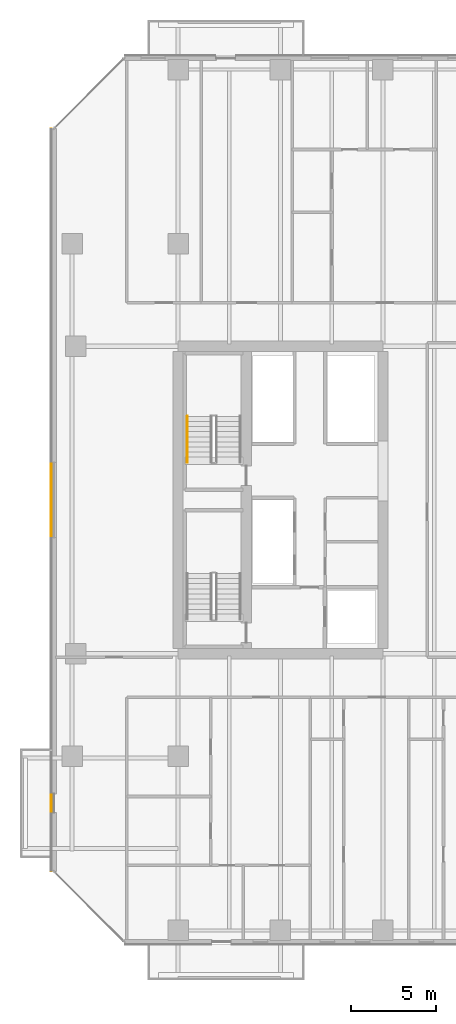
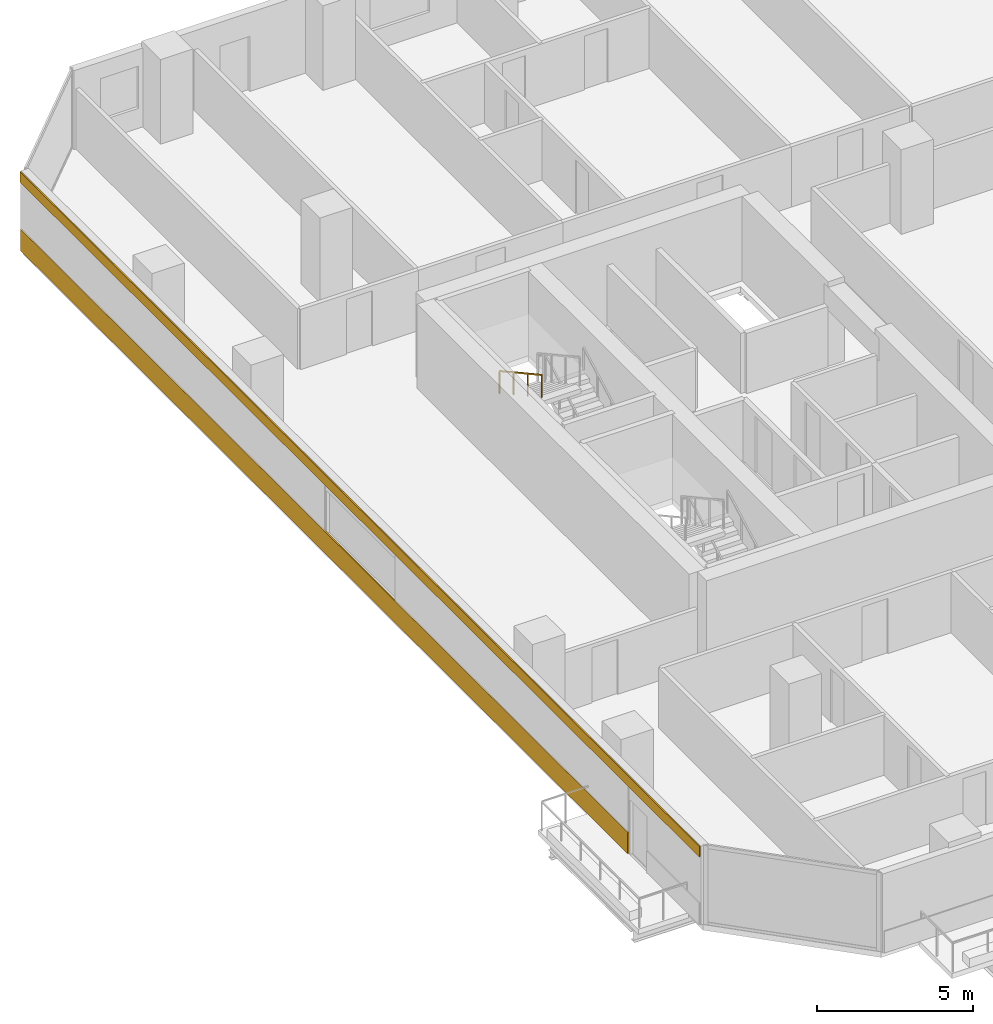
# One storey, part 26 of 33: 2 coverings, 1 railing.
"""IFC4 building model written with IfcOpenShell, lengths in metres."""

from ifc_helpers import new_model, si_unit, direction, frame, origin, origin_2d, place, context, subcontext, project, spatial, rectangle, extrude, material, layer, layer_set, type_object, element, save


model = new_model("IFC4")

# Units and contexts
model_context = context("Model", 3, precision=1e-05, world=origin(), true_north=direction((0.0, 1.0)))
body_context = subcontext(model_context, "Body", "Model", "MODEL_VIEW")
ifc_project = project(units=[si_unit("LENGTHUNIT", "METRE"), si_unit("AREAUNIT", "SQUARE_METRE"), si_unit("VOLUMEUNIT", "CUBIC_METRE"), si_unit("PLANEANGLEUNIT", "RADIAN"), si_unit("MASSUNIT", "GRAM", prefix="KILO")], contexts=[model_context])

# Site, building, storey
site_placement = place(None, origin())
site = spatial("IfcSite", under=ifc_project, at=site_placement, CompositionType="ELEMENT")
building_placement = place(site_placement, origin())
building = spatial("IfcBuilding", under=site, at=building_placement, Name="Tanjung Sevakor Pilgrim Tower", CompositionType="ELEMENT")
storey_placement = place(building_placement, frame((0.0, 0.0, 38.93994140625)))
storey = spatial("IfcBuildingStorey", under=building, at=storey_placement, Name="L10", CompositionType="ELEMENT", Elevation=38.93994140625)

# Coverings
ifc_material_1 = material(Name="Reconstructed Limestone Cladding", Category="masonry")
ifc_layer = layer(ifc_material_1, 0.044921875)
ifc_layer_set = layer_set([ifc_layer], Name="COV-CLAD-LIMESTONE")
covering_type = type_object("IfcCoveringType", Name="COV-CLAD-LIMESTONE", PredefinedType="CLADDING", material=ifc_layer_set)
covering_1_placement = place(storey_placement, frame((16.577392578125, 35.881103515625, 0.01025390625), z_axis=(0.0, 0.0, 1.0), x_axis=(0.0, -1.0, 0.0)))
element("IfcCovering", 1, at=covering_1_placement, inside=storey, type_object=covering_type, Name="L10 Warm Limestone Sill Spandrel EW-L10-MAIN-15-1", PredefinedType="CLADDING", context=body_context, shape_type="SweptSolid", body=[
    extrude(rectangle(XDim=38.842041015625, YDim=0.044921875, at=origin_2d()), origin(), (0.0, 0.0, 1.0), 0.840087890625),
])
covering_2_placement = place(storey_placement, frame((16.577392578125, 33.60009765625, 2.66015625), z_axis=(0.0, 0.0, 1.0), x_axis=(0.0, -1.0, 0.0)))
element("IfcCovering", 2, at=covering_2_placement, inside=storey, type_object=covering_type, Name="L10 Warm Limestone Cornice Spandrel EW-L10-MAIN-15", PredefinedType="CLADDING", context=body_context, shape_type="SweptSolid", body=[
    extrude(rectangle(XDim=43.444091796875, YDim=0.044921875, at=origin_2d()), origin(), (0.0, 0.0, 1.0), 0.409912109375),
])

# Railing
ifc_material_2 = material(Name="Steel S355J2", Category="steel")
railing_type = type_object("IfcRailingType", Name="RL-STAIR-HAND", PredefinedType="HANDRAIL", material=ifc_material_2)
railing_placement = place(storey_placement, frame((24.550048828125, 38.5, 1.81494140625)))
element("IfcRailing", 3, at=railing_placement, inside=storey, type_object=railing_type, Name="L10 TS-W2 stair handrail 2", PredefinedType="HANDRAIL", context=body_context, shape_type="SweptSolid", body=[
    extrude(rectangle(XDim=0.0479, YDim=0.0479), frame((0.0, 0.0, 0.8759765625), z_axis=(0.0, -0.876197507361, 0.481952205197), x_axis=(1.0, 0.0, 0.0)), (0.0, 0.0, 1.0), 3.08154296875),
    extrude(rectangle(XDim=0.042, YDim=0.042), origin(), (0.0, 0.0, 1.0), 0.851806640625),
    extrude(rectangle(XDim=0.042, YDim=0.042), frame((0.0, -0.89990234375, 0.4951171875)), (0.0, 0.0, 1.0), 0.851806640625),
    extrude(rectangle(XDim=0.042, YDim=0.042), frame((0.0, -1.800048828125, 0.989990234375)), (0.0, 0.0, 1.0), 0.851806640625),
    extrude(rectangle(XDim=0.042, YDim=0.042), frame((0.0, -2.699951171875, 1.485107421875)), (0.0, 0.0, 1.0), 0.851806640625),
])

save(model, "model.ifc")
